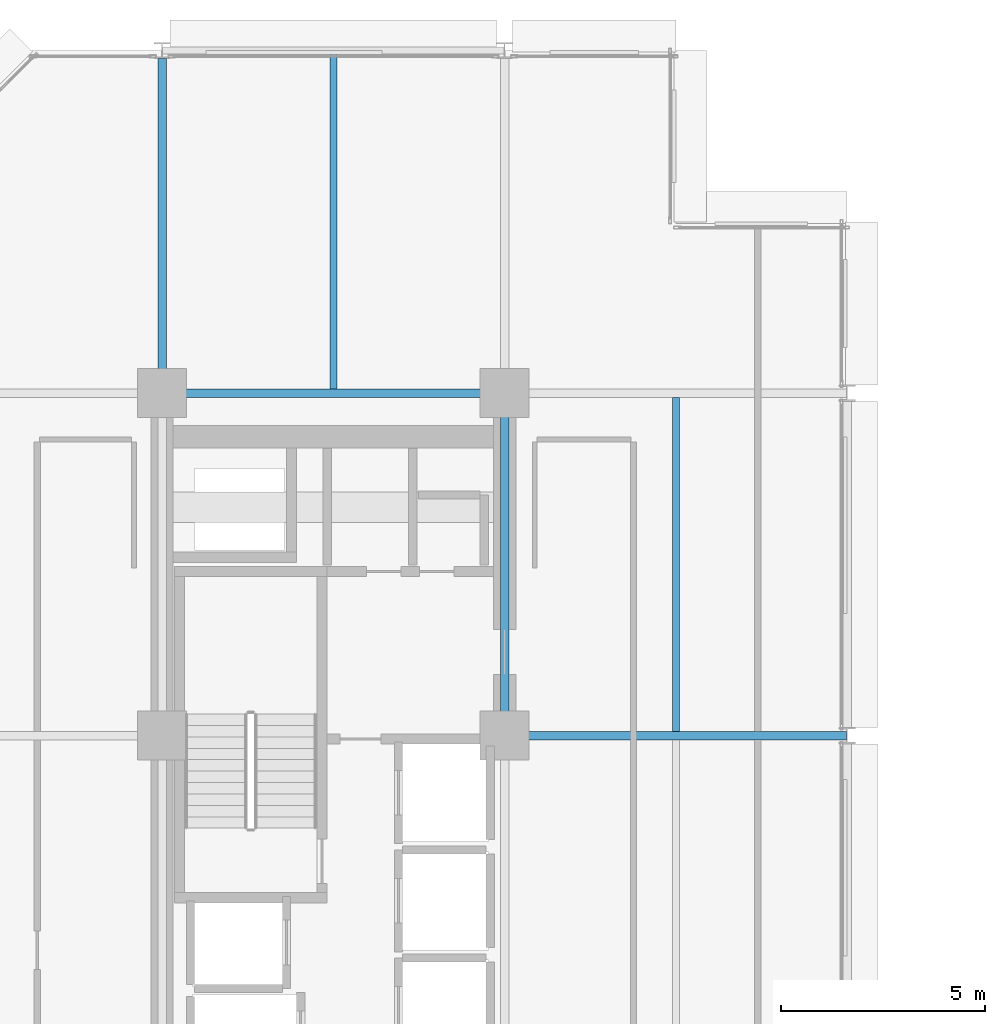
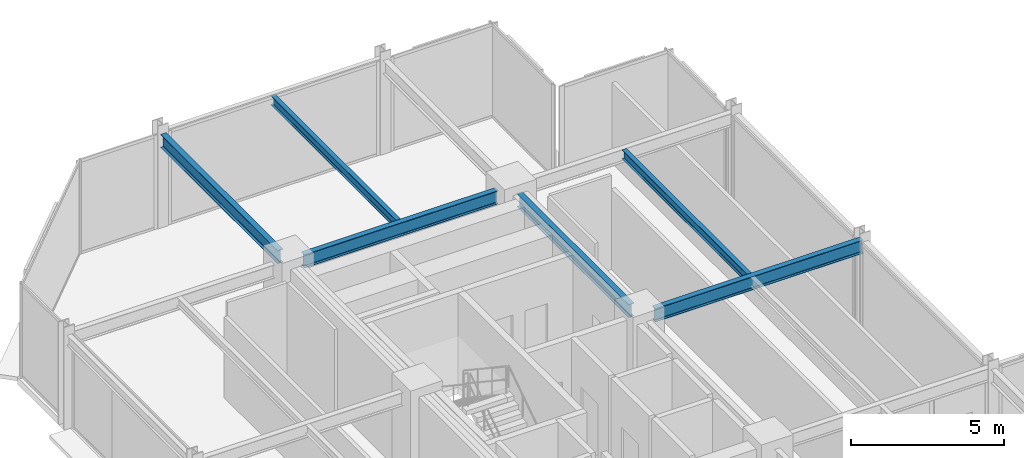
# One storey, part 26 of 40: 6 beams.
"""IFC4 building model written with IfcOpenShell, lengths in metres."""

from ifc_helpers import new_model, si_unit, direction, frame, origin, origin_2d, place, context, subcontext, project, spatial, i_section, extrude, material, material_profile, profile_set, type_object, element, save


model = new_model("IFC4")

# Units and contexts
model_context = context("Model", 3, precision=1e-05, world=origin(), true_north=direction((0.0, 1.0)))
body_context = subcontext(model_context, "Body", "Model", "MODEL_VIEW")
ifc_project = project(units=[si_unit("LENGTHUNIT", "METRE"), si_unit("AREAUNIT", "SQUARE_METRE"), si_unit("VOLUMEUNIT", "CUBIC_METRE"), si_unit("PLANEANGLEUNIT", "RADIAN"), si_unit("MASSUNIT", "GRAM", prefix="KILO")], contexts=[model_context])

# Site, building, storey
site_placement = place(None, origin())
site = spatial("IfcSite", under=ifc_project, at=site_placement, CompositionType="ELEMENT")
building_placement = place(site_placement, origin())
building = spatial("IfcBuilding", under=site, at=building_placement, Name="Nerrivon Quay Data Exchange", CompositionType="ELEMENT")
storey_placement = place(building_placement, frame((0.0, 0.0, 109.0)))
storey = spatial("IfcBuildingStorey", under=building, at=storey_placement, Name="L25", CompositionType="ELEMENT", Elevation=109.0)

# Beams
ifc_material = material(Name="Steel Grade 350", Category="steel")
ifc_material_profile_1 = material_profile(ifc_material, i_section(OverallWidth=0.208984375, OverallDepth=0.532958984375, WebThickness=0.01025390625, FlangeThickness=0.015625, FilletRadius=0.013916015625, at=origin_2d()), Name="530UB92.4")
ifc_profile_set_1 = profile_set([ifc_material_profile_1], Name="Steel Grade 350")
beam_type_1 = type_object("IfcBeamType", Name="BM-G3-530UB92", PredefinedType="BEAM", material=ifc_profile_set_1)
beam_1_placement = place(storey_placement, frame((17.340087890625, 33.60009765625, 3.4833984375), z_axis=(1.0, 0.0, 0.0), x_axis=(0.0, 1.0, 0.0)))
element("IfcBeam", 1, at=beam_1_placement, inside=storey, type_object=beam_type_1, Name="L25 EW Girder Y=33.6 (16.8..25.2)", PredefinedType="BEAM", context=body_context, shape_type="SweptSolid", body=[
    extrude(i_section(OverallWidth=0.208984375, OverallDepth=0.532958984375, WebThickness=0.01025390625, FlangeThickness=0.015625, FilletRadius=0.013916015625, at=origin_2d()), origin(), (0.0, 0.0, 1.0), 7.847412109375),
])
beam_2_placement = place(storey_placement, frame((8.93994140625, 42.0, 3.4833984375), z_axis=(1.0, 0.0, 0.0), x_axis=(0.0, 1.0, 0.0)))
element("IfcBeam", 2, at=beam_2_placement, inside=storey, type_object=beam_type_1, Name="L25 EW Girder Y=42.0 (8.4..16.8)", PredefinedType="BEAM", context=body_context, shape_type="SweptSolid", body=[
    extrude(i_section(OverallWidth=0.208984375, OverallDepth=0.532958984375, WebThickness=0.01025390625, FlangeThickness=0.015625, FilletRadius=0.013916015625, at=origin_2d()), origin(), (0.0, 0.0, 1.0), 7.320068359375),
])
ifc_material_profile_2 = material_profile(ifc_material, i_section(OverallWidth=0.208984375, OverallDepth=0.528076171875, WebThickness=0.009521484375, FlangeThickness=0.01318359375, FilletRadius=0.013916015625, at=origin_2d()), Name="530UB82.0")
ifc_profile_set_2 = profile_set([ifc_material_profile_2], Name="Steel Grade 350")
beam_type_2 = type_object("IfcBeamType", Name="BM-G4-530UB82", PredefinedType="BEAM", material=ifc_profile_set_2)
beam_3_placement = place(storey_placement, frame((8.39990234375, 42.5400390625, 3.486083984375), z_axis=(0.0, 1.0, 0.0), x_axis=(-1.0, 0.0, 0.0)))
element("IfcBeam", 3, at=beam_3_placement, inside=storey, type_object=beam_type_2, Name="L25 NS Girder X=8.4 (42.0..50.4)", PredefinedType="BEAM", context=body_context, shape_type="SweptSolid", body=[
    extrude(i_section(OverallWidth=0.208984375, OverallDepth=0.528076171875, WebThickness=0.009521484375, FlangeThickness=0.01318359375, FilletRadius=0.013916015625, at=origin_2d()), origin(), (0.0, 0.0, 1.0), 7.659912109375),
])
beam_4_placement = place(storey_placement, frame((16.800048828125, 34.139892578125, 3.486083984375), z_axis=(0.0, 1.0, 0.0), x_axis=(-1.0, 0.0, 0.0)))
element("IfcBeam", 4, at=beam_4_placement, inside=storey, type_object=beam_type_2, Name="L25 NS Girder X=16.8 (33.6..42.0)", PredefinedType="BEAM", context=body_context, shape_type="SweptSolid", body=[
    extrude(i_section(OverallWidth=0.208984375, OverallDepth=0.528076171875, WebThickness=0.009521484375, FlangeThickness=0.01318359375, FilletRadius=0.013916015625, at=origin_2d()), origin(), (0.0, 0.0, 1.0), 7.320068359375),
])
ifc_material_profile_3 = material_profile(ifc_material, i_section(OverallWidth=0.1708984375, OverallDepth=0.35595703125, WebThickness=0.00732421875, FlangeThickness=0.011474609375, FilletRadius=0.011474609375, at=origin_2d()), Name="360UB50.7")
ifc_profile_set_3 = profile_set([ifc_material_profile_3], Name="Steel Grade 350")
beam_type_3 = type_object("IfcBeamType", Name="BM-J4-360UB51", PredefinedType="JOIST", material=ifc_profile_set_3)
beam_5_placement = place(storey_placement, frame((12.60009765625, 42.1044921875, 3.572021484375), z_axis=(0.0, 1.0, 0.0), x_axis=(-1.0, 0.0, 0.0)))
element("IfcBeam", 5, at=beam_5_placement, inside=storey, type_object=beam_type_3, Name="L25 Secondary Joist X=12.6 (42.0..50.4)", PredefinedType="JOIST", context=body_context, shape_type="SweptSolid", body=[
    extrude(i_section(OverallWidth=0.1708984375, OverallDepth=0.35595703125, WebThickness=0.00732421875, FlangeThickness=0.011474609375, FilletRadius=0.011474609375, at=origin_2d()), origin(), (0.0, 0.0, 1.0), 8.20654296875),
])
beam_6_placement = place(storey_placement, frame((21.0, 33.70458984375, 3.572021484375), z_axis=(0.0, 1.0, 0.0), x_axis=(-1.0, 0.0, 0.0)))
element("IfcBeam", 6, at=beam_6_placement, inside=storey, type_object=beam_type_3, Name="L25 Secondary Joist X=21.0 (33.6..42.0)", PredefinedType="JOIST", context=body_context, shape_type="SweptSolid", body=[
    extrude(i_section(OverallWidth=0.1708984375, OverallDepth=0.35595703125, WebThickness=0.00732421875, FlangeThickness=0.011474609375, FilletRadius=0.011474609375, at=origin_2d()), origin(), (0.0, 0.0, 1.0), 8.19091796875),
])

save(model, "model.ifc")
